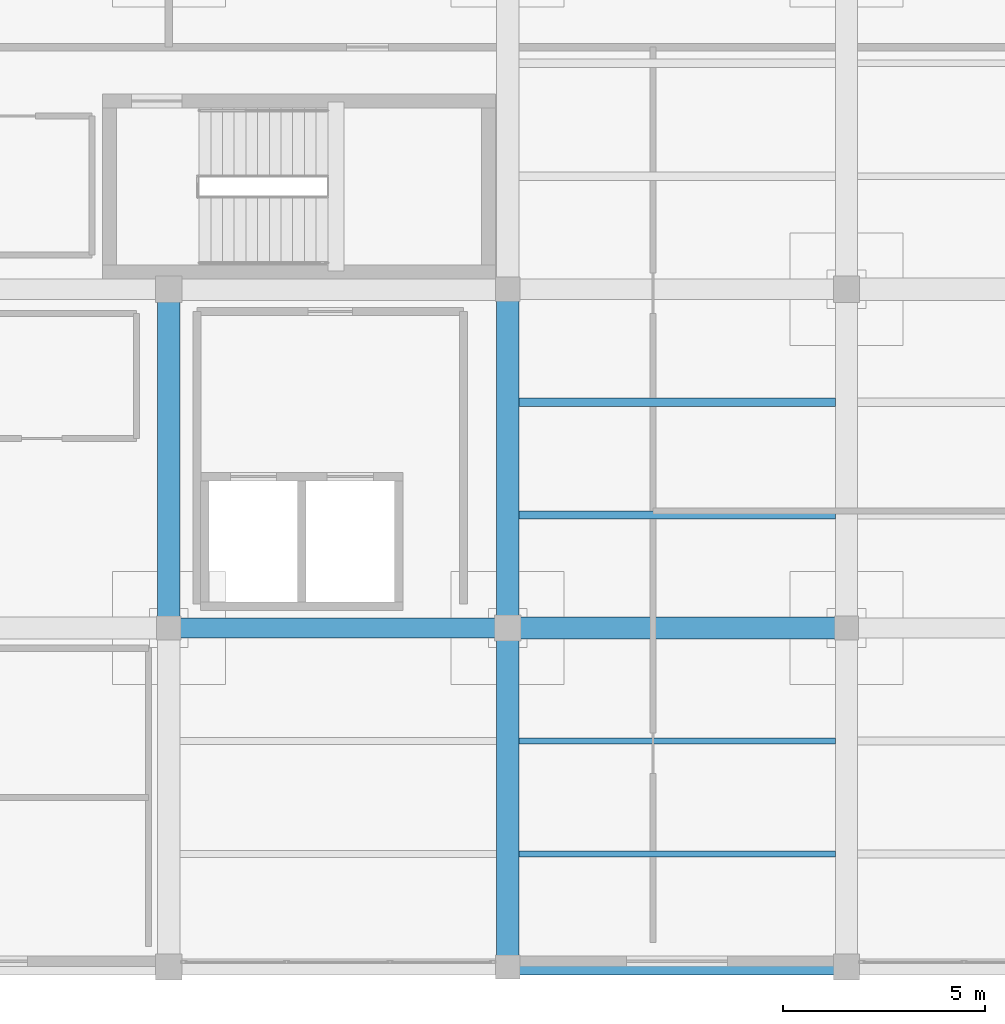
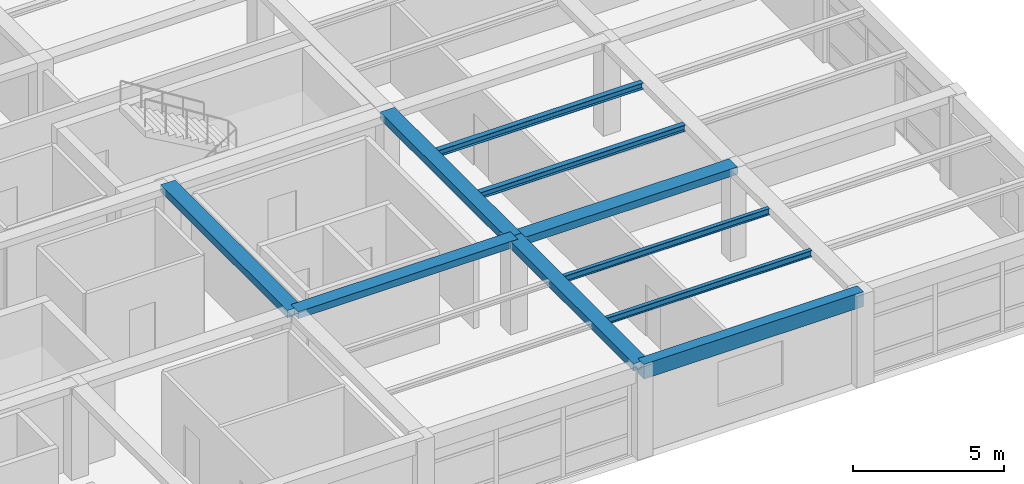
# One storey, part 7 of 25: 10 beams.
"""IFC4 building model written with IfcOpenShell, lengths in metres."""

from ifc_helpers import new_model, si_unit, direction, frame, origin, origin_2d, place, context, subcontext, project, spatial, rectangle, i_section, extrude, material, material_profile, profile_set, type_object, element, save


model = new_model("IFC4")

# Units and contexts
model_context = context("Model", 3, precision=1e-05, world=origin(), true_north=direction((0.0, 1.0)))
body_context = subcontext(model_context, "Body", "Model", "MODEL_VIEW")
ifc_project = project(units=[si_unit("LENGTHUNIT", "METRE"), si_unit("AREAUNIT", "SQUARE_METRE"), si_unit("VOLUMEUNIT", "CUBIC_METRE"), si_unit("PLANEANGLEUNIT", "RADIAN"), si_unit("MASSUNIT", "GRAM", prefix="KILO")], contexts=[model_context])

# Site, building, storey
site_placement = place(None, origin())
site = spatial("IfcSite", under=ifc_project, at=site_placement, CompositionType="ELEMENT")
building_placement = place(site_placement, origin())
building = spatial("IfcBuilding", under=site, at=building_placement, Name="Almacenes y Pasaje Nevantli", CompositionType="ELEMENT")
storey_placement = place(building_placement, frame((0.0, 0.0, 50.699951171875)))
storey = spatial("IfcBuildingStorey", under=building, at=storey_placement, Name="L12", CompositionType="ELEMENT", Elevation=50.699951171875)

# Beams
ifc_material_1 = material(Name="Concrete C35/45", Category="concrete")
ifc_material_profile_1 = material_profile(ifc_material_1, rectangle(XDim=0.39990234375, YDim=0.60009765625, at=origin_2d()), Name="RC-BM-400x600")
ifc_profile_set_1 = profile_set([ifc_material_profile_1], Name="Concrete C35/45")
beam_type_1 = type_object("IfcBeamType", Name="BM-RC-400x600", PredefinedType="SPANDREL", material=ifc_profile_set_1)
beam_1_placement = place(storey_placement, frame((142.800048828125, 67.199951171875, 3.420166015625), z_axis=(1.0, 0.0, 0.0), x_axis=(0.0, 1.0, 0.0)))
element("IfcBeam", 1, at=beam_1_placement, inside=storey, type_object=beam_type_1, Name="L12 East-West Reinforced Concrete Beam #3894", PredefinedType="SPANDREL", context=body_context, shape_type="SweptSolid", body=[
    extrude(rectangle(XDim=0.39990234375, YDim=0.60009765625, at=origin_2d()), origin(), (0.0, 0.0, 1.0), 8.39990234375),
])
ifc_material_2 = material(Name="Concrete C35/45", Category="concrete")
ifc_material_profile_2 = material_profile(ifc_material_2, rectangle(XDim=0.5, YDim=0.280029296875, at=origin_2d()), Name="RC-BM-500x280")
ifc_profile_set_2 = profile_set([ifc_material_profile_2], Name="Concrete C35/45")
beam_type_2 = type_object("IfcBeamType", Name="BM-RC-500x280", PredefinedType="BEAM", material=ifc_profile_set_2)
beam_2_placement = place(storey_placement, frame((134.39990234375, 75.60009765625, 3.580078125), z_axis=(1.0, 0.0, 0.0), x_axis=(0.0, 1.0, 0.0)))
element("IfcBeam", 2, at=beam_2_placement, inside=storey, type_object=beam_type_2, Name="L12 East-West Reinforced Concrete Beam #3898", PredefinedType="BEAM", context=body_context, shape_type="SweptSolid", body=[
    extrude(rectangle(XDim=0.5, YDim=0.280029296875, at=origin_2d()), origin(), (0.0, 0.0, 1.0), 8.400146484375),
])
ifc_material_3 = material(Name="Concrete C35/45", Category="concrete")
ifc_material_profile_3 = material_profile(ifc_material_3, rectangle(XDim=0.550048828125, YDim=0.300048828125, at=origin_2d()), Name="RC-BM-550x300")
ifc_profile_set_3 = profile_set([ifc_material_profile_3], Name="Concrete C35/45")
beam_type_3 = type_object("IfcBeamType", Name="BM-RC-550x300", PredefinedType="BEAM", material=ifc_profile_set_3)
for number, where, z_axis, x_axis, name in (
    (3, (142.800048828125, 75.60009765625, 3.570068359375), (1.0, 0.0, 0.0), (0.0, 1.0, 0.0), "L12 East-West Reinforced Concrete Beam #3899"),
    (4, (134.39990234375, 75.60009765625, 3.570068359375), (0.0, 1.0, 0.0), (-1.0, 0.0, 0.0), "L12 North-South Reinforced Concrete Beam #3924"),
):
    element("IfcBeam", number, at=place(storey_placement, frame(where, z_axis=z_axis, x_axis=x_axis)), inside=storey, type_object=beam_type_3, Name=name, PredefinedType="BEAM", context=body_context, shape_type="SweptSolid", body=[
        extrude(rectangle(XDim=0.550048828125, YDim=0.300048828125, at=origin_2d()), origin(), (0.0, 0.0, 1.0), 8.39990234375),
    ])
beam_3_placement = place(storey_placement, frame((142.800048828125, 67.199951171875, 3.570068359375), z_axis=(0.0, 1.0, 0.0), x_axis=(-1.0, 0.0, 0.0)))
element("IfcBeam", 5, at=beam_3_placement, inside=storey, type_object=beam_type_3, Name="L12 North-South Reinforced Concrete Beam #3926", PredefinedType="BEAM", context=body_context, shape_type="SweptSolid", body=[
    extrude(rectangle(XDim=0.550048828125, YDim=0.300048828125, at=origin_2d()), origin(), (0.0, 0.0, 1.0), 8.400146484375),
])
beam_4_placement = place(storey_placement, frame((142.800048828125, 75.60009765625, 3.570068359375), z_axis=(0.0, 1.0, 0.0), x_axis=(-1.0, 0.0, 0.0)))
element("IfcBeam", 6, at=beam_4_placement, inside=storey, type_object=beam_type_3, Name="L12 North-South Reinforced Concrete Beam #3927", PredefinedType="BEAM", context=body_context, shape_type="SweptSolid", body=[
    extrude(rectangle(XDim=0.550048828125, YDim=0.300048828125, at=origin_2d()), origin(), (0.0, 0.0, 1.0), 8.39990234375),
])
ifc_material_4 = material(Name="Steel ASTM A992", Category="steel")
ifc_material_profile_4 = material_profile(ifc_material_4, i_section(OverallWidth=0.14697265625, OverallDepth=0.257080078125, WebThickness=0.006591796875, FlangeThickness=0.01123046875, at=origin_2d()), Name="IR 254x38.7")
ifc_profile_set_4 = profile_set([ifc_material_profile_4], Name="Steel ASTM A992")
beam_type_4 = type_object("IfcBeamType", Name="BM-STL-IR-254x38p7", PredefinedType="JOIST", material=ifc_profile_set_4)
for number, where, z_axis, x_axis, name in (
    (7, (143.074951171875, 70.0, 3.58349609375), (1.0, 0.0, 0.0), (0.0, 1.0, 0.0), "L12 Secondary Steel Floor Joist #1551"),
    (8, (143.074951171875, 72.800048828125, 3.58349609375), (1.0, 0.0, 0.0), (0.0, 1.0, 0.0), "L12 Secondary Steel Floor Joist #1552"),
):
    element("IfcBeam", number, at=place(storey_placement, frame(where, z_axis=z_axis, x_axis=x_axis)), inside=storey, type_object=beam_type_4, Name=name, PredefinedType="JOIST", context=body_context, shape_type="SweptSolid", body=[
        extrude(i_section(OverallWidth=0.14697265625, OverallDepth=0.257080078125, WebThickness=0.006591796875, FlangeThickness=0.01123046875, at=origin_2d()), origin(), (0.0, 0.0, 1.0), 7.85009765625),
    ])
ifc_material_5 = material(Name="Steel ASTM A992", Category="steel")
ifc_material_profile_5 = material_profile(ifc_material_5, i_section(OverallWidth=0.202880859375, OverallDepth=0.25390625, WebThickness=0.00732421875, FlangeThickness=0.010986328125, at=origin_2d()), Name="IR 254x49.1")
ifc_profile_set_5 = profile_set([ifc_material_profile_5], Name="Steel ASTM A992")
beam_type_5 = type_object("IfcBeamType", Name="BM-STL-IR-254x49p1", PredefinedType="JOIST", material=ifc_profile_set_5)
for number, where, z_axis, x_axis, name in (
    (9, (143.074951171875, 78.39990234375, 3.5849609375), (1.0, 0.0, 0.0), (0.0, 1.0, 0.0), "L12 Secondary Steel Floor Joist #1553"),
    (10, (143.074951171875, 81.199951171875, 3.5849609375), (1.0, 0.0, 0.0), (0.0, 1.0, 0.0), "L12 Secondary Steel Floor Joist #1554"),
):
    element("IfcBeam", number, at=place(storey_placement, frame(where, z_axis=z_axis, x_axis=x_axis)), inside=storey, type_object=beam_type_5, Name=name, PredefinedType="JOIST", context=body_context, shape_type="SweptSolid", body=[
        extrude(i_section(OverallWidth=0.202880859375, OverallDepth=0.25390625, WebThickness=0.00732421875, FlangeThickness=0.010986328125, at=origin_2d()), origin(), (0.0, 0.0, 1.0), 7.85009765625),
    ])

save(model, "model.ifc")
